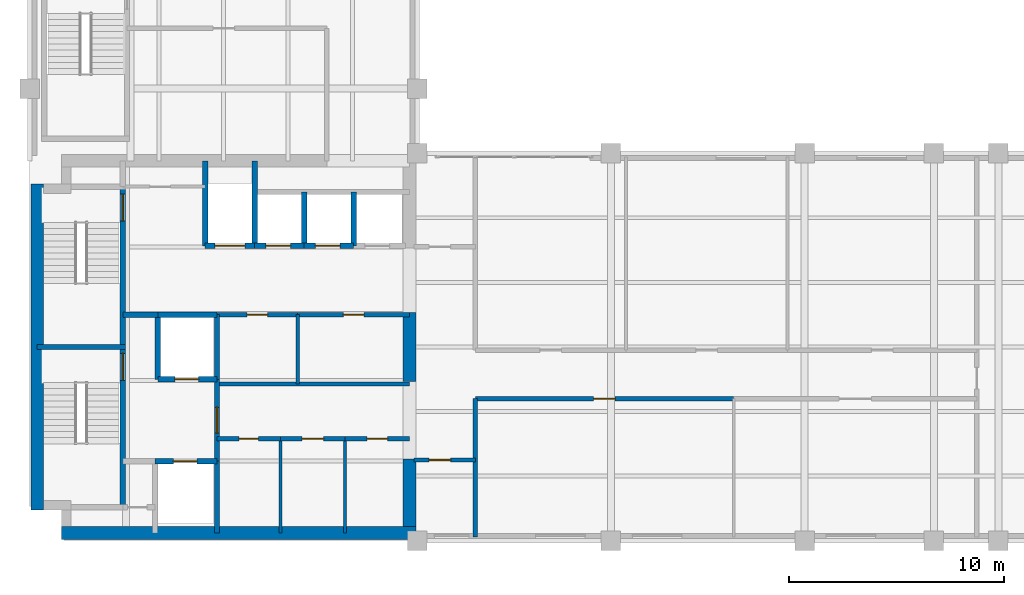
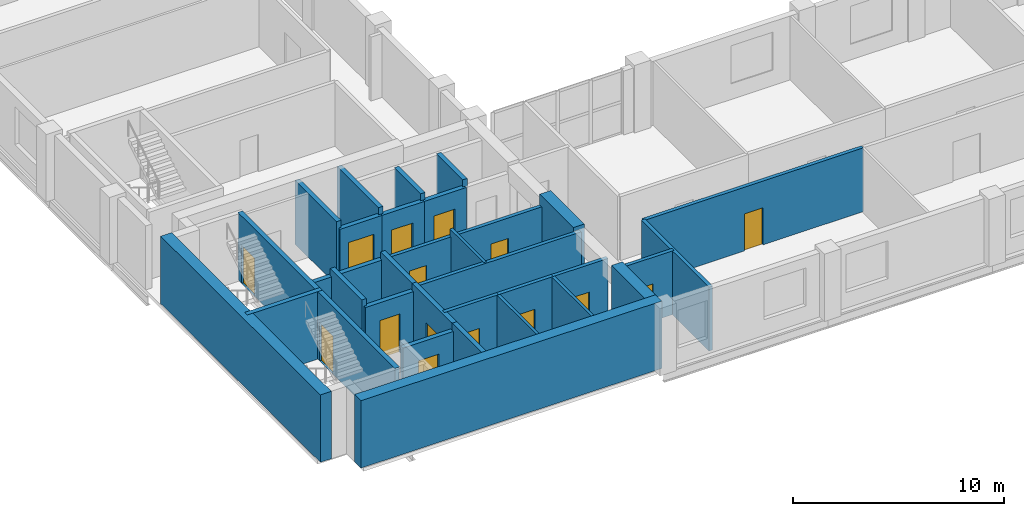
# One storey, part 4 of 7: 34 walls, 15 doors, 15 openings.
"""IFC4 building model written with IfcOpenShell, lengths in metres."""

from ifc_helpers import new_model, si_unit, direction, frame, frame_2d, origin, place, context, subcontext, project, spatial, rectangle, extrude, material, layer, layer_set, type_object, element, fill, save


model = new_model("IFC4")

# Units and contexts
model_context = context("Model", 3, precision=1e-05, world=origin(), true_north=direction((0.0, 1.0)))
body_context = subcontext(model_context, "Body", "Model", "MODEL_VIEW")
ifc_project = project(units=[si_unit("LENGTHUNIT", "METRE"), si_unit("AREAUNIT", "SQUARE_METRE"), si_unit("VOLUMEUNIT", "CUBIC_METRE"), si_unit("PLANEANGLEUNIT", "RADIAN"), si_unit("MASSUNIT", "GRAM", prefix="KILO")], contexts=[model_context])

# Site, building, storey
site_placement = place(None, origin())
site = spatial("IfcSite", under=ifc_project, at=site_placement, CompositionType="ELEMENT")
building_placement = place(site_placement, origin())
building = spatial("IfcBuilding", under=site, at=building_placement, Name="Mawjdan Bourse Tower", CompositionType="ELEMENT")
storey_placement = place(building_placement, frame((0.0, 0.0, 172.199951171875)))
storey = spatial("IfcBuildingStorey", under=building, at=storey_placement, Name="L41", CompositionType="ELEMENT", Elevation=172.199951171875)

# Wall, opening, door
ifc_material_1 = material(Name="Gypsum Fireboard Assembly")
ifc_layer_1 = layer(ifc_material_1, 0.199951171875)
ifc_layer_set_1 = layer_set([ifc_layer_1], Name="Gypsum Fireboard Assembly")
wall_type_1 = type_object("IfcWallType", Name="WL-CMP-200", PredefinedType="PARTITIONING", material=ifc_layer_set_1)
wall_1_placement = place(storey_placement, frame((14.699951171875, 7.739990234375, 0.0), z_axis=(0.0, 0.0, 1.0), x_axis=(1.0, 0.0, 0.0)))
wall_1 = element("IfcWall", 1, at=wall_1_placement, inside=storey, type_object=wall_type_1, Name="L41 IT & Telemetry Room North Wall", PredefinedType="PARTITIONING", context=body_context, shape_type="SweptSolid", body=[
    extrude(rectangle(XDim=2.949951171875, YDim=0.199951171875, at=frame_2d((1.47509765625, 0.0))), origin(), (0.0, 0.0, 1.0), 3.68994140625),
])
opening_1_placement = place(wall_1_placement, frame((1.02490234375, 0.0, 0.0)))
opening_1 = element("IfcOpeningElement", 2, at=opening_1_placement, cuts=wall_1, Name="Opening D-L41-13", PredefinedType="OPENING", context=body_context, shape_type="SweptSolid", body=[
    extrude(rectangle(XDim=0.89990234375, YDim=2.10009765625, at=frame_2d((0.449951171875, 1.050048828125))), frame((0.0, 0.10986328125, 0.0), z_axis=(0.0, -1.0, 0.0), x_axis=(1.0, 0.0, 0.0)), (0.0, 0.0, 1.0), 0.219970703125),
])
ifc_material_2 = material(Name="Fire-Rated Steel Access Leaf", Category="steel")
door_type_1 = type_object("IfcDoorType", Name="FD-RSR-0900", OperationType="NOTDEFINED", PredefinedType="TRAPDOOR", material=ifc_material_2)
door_1_placement = place(opening_1_placement, origin())
door_1 = element("IfcDoor", 3, at=door_1_placement, inside=storey, type_object=door_type_1, Name="L41 IT & Telemetry Room Door D-L41-13", OperationType="SINGLE_SWING_RIGHT", OverallHeight=2.10009765625, OverallWidth=0.89990234375, PredefinedType="TRAPDOOR", context=body_context, shape_type="SweptSolid", body=[
    extrude(rectangle(XDim=0.89990234375, YDim=2.10009765625, at=frame_2d((0.449951171875, 1.050048828125))), frame((0.0, 0.02490234375, 0.0), z_axis=(0.0, -1.0, 0.0), x_axis=(1.0, 0.0, 0.0)), (0.0, 0.0, 1.0), 0.050048828125),
])
fill(opening_1, door_1)

wall_2_placement = place(storey_placement, frame((17.64990234375, 7.739990234375, 0.0), z_axis=(0.0, 0.0, 1.0), x_axis=(1.0, 0.0, 0.0)))
wall_2 = element("IfcWall", 4, at=wall_2_placement, inside=storey, type_object=wall_type_1, Name="L41 Mail & Courier Office North Wall", PredefinedType="PARTITIONING", context=body_context, shape_type="SweptSolid", body=[
    extrude(rectangle(XDim=3.0, YDim=0.199951171875, at=frame_2d((1.5, 0.0))), origin(), (0.0, 0.0, 1.0), 3.68994140625),
])
opening_2_placement = place(wall_2_placement, frame((1.0, 0.0, 0.0)))
opening_2 = element("IfcOpeningElement", 5, at=opening_2_placement, cuts=wall_2, Name="Opening D-L41-14", PredefinedType="OPENING", context=body_context, shape_type="SweptSolid", body=[
    extrude(rectangle(XDim=1.0, YDim=2.14990234375, at=frame_2d((0.5, 1.074951171875))), frame((0.0, 0.10986328125, 0.0), z_axis=(0.0, -1.0, 0.0), x_axis=(1.0, 0.0, 0.0)), (0.0, 0.0, 1.0), 0.219970703125),
])
ifc_material_3 = material(Name="Hardwood Acoustic Leaf", Category="wood")
door_type_2 = type_object("IfcDoorType", Name="DR-OFC-1000", OperationType="NOTDEFINED", PredefinedType="DOOR", material=ifc_material_3)
door_2_placement = place(opening_2_placement, origin())
door_2 = element("IfcDoor", 6, at=door_2_placement, inside=storey, type_object=door_type_2, Name="L41 Mail & Courier Office Door D-L41-14", OperationType="SINGLE_SWING_LEFT", OverallHeight=2.14990234375, OverallWidth=1.0, PredefinedType="DOOR", context=body_context, shape_type="SweptSolid", body=[
    extrude(rectangle(XDim=1.0, YDim=2.14990234375, at=frame_2d((0.5, 1.074951171875))), frame((0.0, 0.02490234375, 0.0), z_axis=(0.0, -1.0, 0.0), x_axis=(1.0, 0.0, 0.0)), (0.0, 0.0, 1.0), 0.050048828125),
])
fill(opening_2, door_2)

wall_3_placement = place(storey_placement, frame((20.64990234375, 7.739990234375, 0.0), z_axis=(0.0, 0.0, 1.0), x_axis=(1.0, 0.0, 0.0)))
wall_3 = element("IfcWall", 7, at=wall_3_placement, inside=storey, type_object=wall_type_1, Name="L41 Staff Refreshment Pantry North Wall", PredefinedType="PARTITIONING", context=body_context, shape_type="SweptSolid", body=[
    extrude(rectangle(XDim=3.0, YDim=0.199951171875, at=frame_2d((1.5, 0.0))), origin(), (0.0, 0.0, 1.0), 3.68994140625),
])
opening_3_placement = place(wall_3_placement, frame((1.02490234375, 0.0, 0.0)))
opening_3 = element("IfcOpeningElement", 8, at=opening_3_placement, cuts=wall_3, Name="Opening D-L41-15", PredefinedType="OPENING", context=body_context, shape_type="SweptSolid", body=[
    extrude(rectangle(XDim=0.949951171875, YDim=2.10009765625, at=frame_2d((0.47509765625, 1.050048828125))), frame((0.0, 0.10986328125, 0.0), z_axis=(0.0, -1.0, 0.0), x_axis=(1.0, 0.0, 0.0)), (0.0, 0.0, 1.0), 0.219970703125),
])
ifc_material_4 = material(Name="Moisture-Resistant Laminate Timber", Category="wood")
door_type_3 = type_object("IfcDoorType", Name="DR-WET-0950", OperationType="NOTDEFINED", PredefinedType="DOOR", material=ifc_material_4)
door_3_placement = place(opening_3_placement, origin())
door_3 = element("IfcDoor", 9, at=door_3_placement, inside=storey, type_object=door_type_3, Name="L41 Staff Refreshment Pantry Door D-L41-15", OperationType="SINGLE_SWING_RIGHT", OverallHeight=2.10009765625, OverallWidth=0.949951171875, PredefinedType="DOOR", context=body_context, shape_type="SweptSolid", body=[
    extrude(rectangle(XDim=0.949951171875, YDim=2.10009765625, at=frame_2d((0.47509765625, 1.050048828125))), frame((0.0, 0.02490234375, 0.0), z_axis=(0.0, -1.0, 0.0), x_axis=(1.0, 0.0, 0.0)), (0.0, 0.0, 1.0), 0.050048828125),
])
fill(opening_3, door_3)

# Wall
wall_4_placement = place(storey_placement, frame((14.824951171875, 10.280029296875, 0.0), z_axis=(0.0, 0.0, 1.0), x_axis=(1.0, 0.0, 0.0)))
element("IfcWall", 10, at=wall_4_placement, inside=storey, type_object=wall_type_1, Name="L41 Core Restroom Suite South Wall", PredefinedType="PARTITIONING", context=body_context, shape_type="SweptSolid", body=[
    extrude(rectangle(XDim=8.824951171875, YDim=0.199951171875, at=frame_2d((4.41259765625, 0.0))), origin(), (0.0, 0.0, 1.0), 3.68994140625),
])

# Wall, opening, door
wall_5_placement = place(storey_placement, frame((14.699951171875, 13.5, 0.0), z_axis=(0.0, 0.0, 1.0), x_axis=(1.0, 0.0, 0.0)))
wall_5 = element("IfcWall", 11, at=wall_5_placement, inside=storey, type_object=wall_type_1, Name="L41 Female Restroom North Wall", PredefinedType="PARTITIONING", context=body_context, shape_type="SweptSolid", body=[
    extrude(rectangle(XDim=3.75, YDim=0.199951171875, at=frame_2d((1.875, 0.0))), origin(), (0.0, 0.0, 1.0), 3.282958984375),
])
opening_4_placement = place(wall_5_placement, frame((1.39990234375, 0.0, 0.0)))
opening_4 = element("IfcOpeningElement", 12, at=opening_4_placement, cuts=wall_5, Name="Opening D-L41-16", PredefinedType="OPENING", context=body_context, shape_type="SweptSolid", body=[
    extrude(rectangle(XDim=0.949951171875, YDim=2.10009765625, at=frame_2d((0.47509765625, 1.050048828125))), frame((0.0, 0.10986328125, 0.0), z_axis=(0.0, -1.0, 0.0), x_axis=(1.0, 0.0, 0.0)), (0.0, 0.0, 1.0), 0.219970703125),
])
door_4_placement = place(opening_4_placement, origin())
door_4 = element("IfcDoor", 13, at=door_4_placement, inside=storey, type_object=door_type_3, Name="L41 Female Restroom Door D-L41-16", OperationType="SINGLE_SWING_LEFT", OverallHeight=2.10009765625, OverallWidth=0.949951171875, PredefinedType="DOOR", context=body_context, shape_type="SweptSolid", body=[
    extrude(rectangle(XDim=0.949951171875, YDim=2.10009765625, at=frame_2d((0.47509765625, 1.050048828125))), frame((0.0, 0.02490234375, 0.0), z_axis=(0.0, -1.0, 0.0), x_axis=(1.0, 0.0, 0.0)), (0.0, 0.0, 1.0), 0.050048828125),
])
fill(opening_4, door_4)

wall_6_placement = place(storey_placement, frame((18.449951171875, 13.5, 0.0), z_axis=(0.0, 0.0, 1.0), x_axis=(1.0, 0.0, 0.0)))
wall_6 = element("IfcWall", 14, at=wall_6_placement, inside=storey, type_object=wall_type_1, Name="L41 Accessible WC North Wall", PredefinedType="PARTITIONING", context=body_context, shape_type="SweptSolid", body=[
    extrude(rectangle(XDim=5.199951171875, YDim=0.199951171875, at=frame_2d((2.60009765625, 0.0))), origin(), (0.0, 0.0, 1.0), 3.282958984375),
])
opening_5_placement = place(wall_6_placement, frame((2.125, 0.0, 0.0)))
opening_5 = element("IfcOpeningElement", 15, at=opening_5_placement, cuts=wall_6, Name="Opening D-L41-17", PredefinedType="OPENING", context=body_context, shape_type="SweptSolid", body=[
    extrude(rectangle(XDim=0.949951171875, YDim=2.10009765625, at=frame_2d((0.47509765625, 1.050048828125))), frame((0.0, 0.10986328125, 0.0), z_axis=(0.0, -1.0, 0.0), x_axis=(1.0, 0.0, 0.0)), (0.0, 0.0, 1.0), 0.219970703125),
])
door_5_placement = place(opening_5_placement, origin())
door_5 = element("IfcDoor", 16, at=door_5_placement, inside=storey, type_object=door_type_3, Name="L41 Accessible WC Door D-L41-17", OperationType="SINGLE_SWING_RIGHT", OverallHeight=2.10009765625, OverallWidth=0.949951171875, PredefinedType="DOOR", context=body_context, shape_type="SweptSolid", body=[
    extrude(rectangle(XDim=0.949951171875, YDim=2.10009765625, at=frame_2d((0.47509765625, 1.050048828125))), frame((0.0, 0.02490234375, 0.0), z_axis=(0.0, -1.0, 0.0), x_axis=(1.0, 0.0, 0.0)), (0.0, 0.0, 1.0), 0.050048828125),
])
fill(opening_5, door_5)

wall_7_placement = place(storey_placement, frame((23.85009765625, 6.75, 0.0), z_axis=(0.0, 0.0, 1.0), x_axis=(1.0, 0.0, 0.0)))
wall_7 = element("IfcWall", 17, at=wall_7_placement, inside=storey, type_object=wall_type_1, Name="L41 West Pocket North Wall", PredefinedType="PARTITIONING", context=body_context, shape_type="SweptSolid", body=[
    extrude(rectangle(XDim=2.849853515625, YDim=0.199951171875, at=frame_2d((1.4248046875, 0.0))), origin(), (0.0, 0.0, 1.0), 3.68994140625),
])
opening_6_placement = place(wall_7_placement, frame((0.699951171875, 0.0, 0.0)))
opening_6 = element("IfcOpeningElement", 18, at=opening_6_placement, cuts=wall_7, Name="Opening D-L41-20", PredefinedType="OPENING", context=body_context, shape_type="SweptSolid", body=[
    extrude(rectangle(XDim=1.0, YDim=2.14990234375, at=frame_2d((0.5, 1.074951171875))), frame((0.0, 0.10986328125, 0.0), z_axis=(0.0, -1.0, 0.0), x_axis=(1.0, 0.0, 0.0)), (0.0, 0.0, 1.0), 0.219970703125),
])
door_6_placement = place(opening_6_placement, origin())
door_6 = element("IfcDoor", 19, at=door_6_placement, inside=storey, type_object=door_type_2, Name="L41 West Pocket Office Door D-L41-20", OperationType="SINGLE_SWING_LEFT", OverallHeight=2.14990234375, OverallWidth=1.0, PredefinedType="DOOR", context=body_context, shape_type="SweptSolid", body=[
    extrude(rectangle(XDim=1.0, YDim=2.14990234375, at=frame_2d((0.5, 1.074951171875))), frame((0.0, 0.02490234375, 0.0), z_axis=(0.0, -1.0, 0.0), x_axis=(1.0, 0.0, 0.0)), (0.0, 0.0, 1.0), 0.050048828125),
])
fill(opening_6, door_6)

# Wall
wall_8_placement = place(storey_placement, frame((26.699951171875, 3.179931640625, 0.0), z_axis=(0.0, 0.0, 1.0), x_axis=(0.0, 1.0, 0.0)))
element("IfcWall", 20, at=wall_8_placement, inside=storey, type_object=wall_type_1, Name="L41 Vestibule South East Wall", PredefinedType="PARTITIONING", context=body_context, shape_type="SweptSolid", body=[
    extrude(rectangle(XDim=6.420166015625, YDim=0.199951171875, at=frame_2d((3.2099609375, 0.0))), origin(), (0.0, 0.0, 1.0), 3.68994140625),
])

# Wall, opening, door
wall_9_placement = place(storey_placement, frame((26.699951171875, 9.60009765625, 0.0), z_axis=(0.0, 0.0, 1.0), x_axis=(1.0, 0.0, 0.0)))
wall_9 = element("IfcWall", 21, at=wall_9_placement, inside=storey, type_object=wall_type_1, Name="L41 Central Clearing Suite Corridor Wall", PredefinedType="PARTITIONING", context=body_context, shape_type="SweptSolid", body=[
    extrude(rectangle(XDim=12.0, YDim=0.199951171875, at=frame_2d((6.0, 0.0))), origin(), (0.0, 0.0, 1.0), 3.68994140625),
])
opening_7_placement = place(wall_9_placement, frame((5.5, 0.0, 0.0)))
opening_7 = element("IfcOpeningElement", 22, at=opening_7_placement, cuts=wall_9, Name="Opening D-L41-22", PredefinedType="OPENING", context=body_context, shape_type="SweptSolid", body=[
    extrude(rectangle(XDim=1.0, YDim=2.14990234375, at=frame_2d((0.5, 1.074951171875))), frame((0.0, 0.10986328125, 0.0), z_axis=(0.0, -1.0, 0.0), x_axis=(1.0, 0.0, 0.0)), (0.0, 0.0, 1.0), 0.219970703125),
])
door_7_placement = place(opening_7_placement, origin())
door_7 = element("IfcDoor", 23, at=door_7_placement, inside=storey, type_object=door_type_2, Name="L41 Central Clearing Suite Door D-L41-22", OperationType="SINGLE_SWING_LEFT", OverallHeight=2.14990234375, OverallWidth=1.0, PredefinedType="DOOR", context=body_context, shape_type="SweptSolid", body=[
    extrude(rectangle(XDim=1.0, YDim=2.14990234375, at=frame_2d((0.5, 1.074951171875))), frame((0.0, 0.02490234375, 0.0), z_axis=(0.0, -1.0, 0.0), x_axis=(1.0, 0.0, 0.0)), (0.0, 0.0, 1.0), 0.050048828125),
])
fill(opening_7, door_7)

# Walls
ifc_material_5 = material(Name="Concrete C70/85", Category="concrete")
ifc_layer_2 = layer(ifc_material_5, 0.60009765625)
ifc_layer_set_2 = layer_set([ifc_layer_2], Name="Concrete C70/85")
wall_type_2 = type_object("IfcWallType", Name="WL-CORE-600", PredefinedType="SHEAR", material=ifc_layer_set_2)
wall_10_placement = place(storey_placement, frame((7.47509765625, 3.35009765625, 0.0), z_axis=(0.0, 0.0, 1.0), x_axis=(1.0, 0.0, 0.0)))
element("IfcWall", 24, at=wall_10_placement, inside=storey, type_object=wall_type_2, Name="L41 Rear Core Shear Wall S", PredefinedType="SHEAR", context=body_context, shape_type="SweptSolid", body=[
    extrude(rectangle(XDim=16.474853515625, YDim=0.60009765625, at=frame_2d((8.2373046875, 0.0))), origin(), (0.0, 0.0, 1.0), 3.900146484375),
])
wall_11_placement = place(storey_placement, frame((6.35009765625, 4.425048828125, 0.0), z_axis=(0.0, 0.0, 1.0), x_axis=(0.0, 1.0, 0.0)))
element("IfcWall", 25, at=wall_11_placement, inside=storey, type_object=wall_type_2, Name="L41 Rear Core Shear Wall W", PredefinedType="SHEAR", context=body_context, shape_type="SweptSolid", body=[
    extrude(rectangle(XDim=15.14990234375, YDim=0.60009765625, at=frame_2d((7.574951171875, 0.0))), origin(), (0.0, 0.0, 1.0), 3.900146484375),
])
wall_12_placement = place(storey_placement, frame((23.64990234375, 3.64990234375, 0.0), z_axis=(0.0, 0.0, 1.0), x_axis=(0.0, 1.0, 0.0)))
element("IfcWall", 26, at=wall_12_placement, inside=storey, type_object=wall_type_2, Name="L41 Rear Core Shear Wall E1", PredefinedType="SHEAR", context=body_context, shape_type="SweptSolid", body=[
    extrude(rectangle(XDim=3.150146484375, YDim=0.60009765625, at=frame_2d((1.5751953125, 0.0))), origin(), (0.0, 0.0, 1.0), 3.900146484375),
])
wall_13_placement = place(storey_placement, frame((23.64990234375, 10.39990234375, 0.0), z_axis=(0.0, 0.0, 1.0), x_axis=(0.0, 1.0, 0.0)))
element("IfcWall", 27, at=wall_13_placement, inside=storey, type_object=wall_type_2, Name="L41 Rear Core Shear Wall E2", PredefinedType="SHEAR", context=body_context, shape_type="SweptSolid", body=[
    extrude(rectangle(XDim=3.2001953125, YDim=0.60009765625, at=frame_2d((1.60009765625, 0.0))), origin(), (0.0, 0.0, 1.0), 3.900146484375),
])
ifc_material_6 = material(Name="Gypsum Acoustic Partition")
ifc_layer_3 = layer(ifc_material_6, 0.14990234375)
ifc_layer_set_3 = layer_set([ifc_layer_3], Name="Gypsum Acoustic Partition")
wall_type_3 = type_object("IfcWallType", Name="WL-PRT-150", PredefinedType="PARTITIONING", material=ifc_layer_set_3)
for number, where, z_axis, x_axis, name in (
    (28, (17.64990234375, 3.35009765625, 0.0), (0.0, 0.0, 1.0), (0.0, 1.0, 0.0), "L41 Mail & Courier Office Core Split Wall"),
    (29, (20.64990234375, 3.35009765625, 0.0), (0.0, 0.0, 1.0), (0.0, 1.0, 0.0), "L41 Staff Refreshment Pantry Core Split Wall"),
):
    element("IfcWall", number, at=place(storey_placement, frame(where, z_axis=z_axis, x_axis=x_axis)), inside=storey, type_object=wall_type_3, Name=name, PredefinedType="PARTITIONING", context=body_context, shape_type="SweptSolid", body=[
        extrude(rectangle(XDim=4.389892578125, YDim=0.14990234375, at=frame_2d((2.19482421875, 0.0))), origin(), (0.0, 0.0, 1.0), 3.68994140625),
    ])
wall_14_placement = place(storey_placement, frame((18.449951171875, 10.280029296875, 0.0), z_axis=(0.0, 0.0, 1.0), x_axis=(0.0, 1.0, 0.0)))
element("IfcWall", 30, at=wall_14_placement, inside=storey, type_object=wall_type_3, Name="L41 Accessible WC Split Wall", PredefinedType="PARTITIONING", context=body_context, shape_type="SweptSolid", body=[
    extrude(rectangle(XDim=3.219970703125, YDim=0.14990234375, at=frame_2d((1.60986328125, 0.0))), origin(), (0.0, 0.0, 1.0), 3.68994140625),
])

# Wall, opening, door
ifc_material_7 = material(Name="Concrete C50/60", Category="concrete")
ifc_layer_4 = layer(ifc_material_7, 0.25)
ifc_layer_set_4 = layer_set([ifc_layer_4], Name="Concrete C50/60")
wall_type_4 = type_object("IfcWallType", Name="WL-SHFT-250", PredefinedType="PARTITIONING", material=ifc_layer_set_4)
wall_15_placement = place(storey_placement, frame((11.820068359375, 6.699951171875, 0.0), z_axis=(0.0, 0.0, 1.0), x_axis=(1.0, 0.0, 0.0)))
wall_15 = element("IfcWall", 31, at=wall_15_placement, inside=storey, type_object=wall_type_4, Name="L41 FFL-01 Front Shaft Wall", PredefinedType="PARTITIONING", context=body_context, shape_type="SweptSolid", body=[
    extrude(rectangle(XDim=2.8798828125, YDim=0.25, at=frame_2d((1.43994140625, 0.0))), origin(), (0.0, 0.0, 1.0), 3.282958984375),
])
opening_8_placement = place(wall_15_placement, frame((0.85009765625, 0.0, 0.0)))
opening_8 = element("IfcOpeningElement", 32, at=opening_8_placement, cuts=wall_15, Name="Opening LD-L41-05", PredefinedType="OPENING", context=body_context, shape_type="SweptSolid", body=[
    extrude(rectangle(XDim=1.10009765625, YDim=2.25, at=frame_2d((0.550048828125, 1.125))), frame((0.0, 0.135009765625, 0.0), z_axis=(0.0, -1.0, 0.0), x_axis=(1.0, 0.0, 0.0)), (0.0, 0.0, 1.0), 0.27001953125),
])
ifc_material_8 = material(Name="Brushed Stainless Steel", Category="steel")
door_type_4 = type_object("IfcDoorType", Name="LD-FFL-1100", OperationType="DOUBLE_DOOR_SLIDING", PredefinedType="DOOR", material=ifc_material_8)
door_8_placement = place(opening_8_placement, origin())
door_8 = element("IfcDoor", 33, at=door_8_placement, inside=storey, type_object=door_type_4, Name="L41 Firefighting Lift FFL-01 Landing Door LD-L41-05", OperationType="DOUBLE_DOOR_SLIDING", OverallHeight=2.25, OverallWidth=1.10009765625, PredefinedType="DOOR", context=body_context, shape_type="SweptSolid", body=[
    extrude(rectangle(XDim=1.10009765625, YDim=2.25, at=frame_2d((0.550048828125, 1.125))), frame((0.0, 0.02490234375, 0.0), z_axis=(0.0, -1.0, 0.0), x_axis=(1.0, 0.0, 0.0)), (0.0, 0.0, 1.0), 0.050048828125),
])
fill(opening_8, door_8)

# Wall
wall_16_placement = place(storey_placement, frame((14.699951171875, 3.35009765625, 0.0), z_axis=(0.0, 0.0, 1.0), x_axis=(0.0, 1.0, 0.0)))
element("IfcWall", 34, at=wall_16_placement, inside=storey, type_object=wall_type_4, Name="L41 FFL-01 East Shaft Wall", PredefinedType="PARTITIONING", context=body_context, shape_type="SweptSolid", body=[
    extrude(rectangle(XDim=3.349853515625, YDim=0.25, at=frame_2d((1.6748046875, 0.0))), origin(), (0.0, 0.0, 1.0), 3.68994140625),
])

# Wall, opening, door
wall_17_placement = place(storey_placement, frame((11.949951171875, 10.5, 0.0), z_axis=(0.0, 0.0, 1.0), x_axis=(1.0, 0.0, 0.0)))
wall_17 = element("IfcWall", 35, at=wall_17_placement, inside=storey, type_object=wall_type_4, Name="L41 FFL-02 Front Shaft Wall", PredefinedType="PARTITIONING", context=body_context, shape_type="SweptSolid", body=[
    extrude(rectangle(XDim=2.75, YDim=0.25, at=frame_2d((1.375, 0.0))), origin(), (0.0, 0.0, 1.0), 3.282958984375),
])
opening_9_placement = place(wall_17_placement, frame((0.800048828125, 0.0, 0.0)))
opening_9 = element("IfcOpeningElement", 36, at=opening_9_placement, cuts=wall_17, Name="Opening LD-L41-06", PredefinedType="OPENING", context=body_context, shape_type="SweptSolid", body=[
    extrude(rectangle(XDim=1.10009765625, YDim=2.25, at=frame_2d((0.550048828125, 1.125))), frame((0.0, 0.135009765625, 0.0), z_axis=(0.0, -1.0, 0.0), x_axis=(1.0, 0.0, 0.0)), (0.0, 0.0, 1.0), 0.27001953125),
])
door_9_placement = place(opening_9_placement, origin())
door_9 = element("IfcDoor", 37, at=door_9_placement, inside=storey, type_object=door_type_4, Name="L41 Firefighting Lift FFL-02 Landing Door LD-L41-06", OperationType="DOUBLE_DOOR_SLIDING", OverallHeight=2.25, OverallWidth=1.10009765625, PredefinedType="DOOR", context=body_context, shape_type="SweptSolid", body=[
    extrude(rectangle(XDim=1.10009765625, YDim=2.25, at=frame_2d((0.550048828125, 1.125))), frame((0.0, 0.02490234375, 0.0), z_axis=(0.0, -1.0, 0.0), x_axis=(1.0, 0.0, 0.0)), (0.0, 0.0, 1.0), 0.050048828125),
])
fill(opening_9, door_9)

# Walls
wall_18_placement = place(storey_placement, frame((11.949951171875, 10.5, 0.0), z_axis=(0.0, 0.0, 1.0), x_axis=(0.0, 1.0, 0.0)))
element("IfcWall", 38, at=wall_18_placement, inside=storey, type_object=wall_type_4, Name="L41 FFL-02 West Shaft Wall", PredefinedType="PARTITIONING", context=body_context, shape_type="SweptSolid", body=[
    extrude(rectangle(XDim=3.0, YDim=0.25, at=frame_2d((1.5, 0.0))), origin(), (0.0, 0.0, 1.0), 3.68994140625),
])
wall_19_placement = place(storey_placement, frame((11.949951171875, 13.5, 0.0), z_axis=(0.0, 0.0, 1.0), x_axis=(1.0, 0.0, 0.0)))
element("IfcWall", 39, at=wall_19_placement, inside=storey, type_object=wall_type_4, Name="L41 FFL-02 North Shaft Wall", PredefinedType="PARTITIONING", context=body_context, shape_type="SweptSolid", body=[
    extrude(rectangle(XDim=2.75, YDim=0.25, at=frame_2d((1.375, 0.0))), origin(), (0.0, 0.0, 1.0), 3.282958984375),
])
wall_20_placement = place(storey_placement, frame((14.699951171875, 10.5, 0.0), z_axis=(0.0, 0.0, 1.0), x_axis=(0.0, 1.0, 0.0)))
element("IfcWall", 40, at=wall_20_placement, inside=storey, type_object=wall_type_4, Name="L41 FFL-02 East Shaft Wall", PredefinedType="PARTITIONING", context=body_context, shape_type="SweptSolid", body=[
    extrude(rectangle(XDim=3.0, YDim=0.25, at=frame_2d((1.5, 0.0))), origin(), (0.0, 0.0, 1.0), 3.68994140625),
])

# Wall, opening, door
wall_21_placement = place(storey_placement, frame((14.699951171875, 6.699951171875, 0.0), z_axis=(0.0, 0.0, 1.0), x_axis=(0.0, 1.0, 0.0)))
wall_21 = element("IfcWall", 41, at=wall_21_placement, inside=storey, type_object=wall_type_4, Name="L41 Firefighting Lobby East Compartment Wall", PredefinedType="PARTITIONING", context=body_context, shape_type="SweptSolid", body=[
    extrude(rectangle(XDim=3.800048828125, YDim=0.25, at=frame_2d((1.89990234375, 0.0))), origin(), (0.0, 0.0, 1.0), 3.68994140625),
])
opening_10_placement = place(wall_21_placement, frame((1.300048828125, 0.0, 0.0)))
opening_10 = element("IfcOpeningElement", 42, at=opening_10_placement, cuts=wall_21, Name="Opening FD-L41-07", PredefinedType="OPENING", context=body_context, shape_type="SweptSolid", body=[
    extrude(rectangle(XDim=1.199951171875, YDim=2.199951171875, at=frame_2d((0.60009765625, 1.10009765625))), frame((0.0, 0.135009765625, 0.0), z_axis=(0.0, -1.0, 0.0), x_axis=(1.0, 0.0, 0.0)), (0.0, 0.0, 1.0), 0.27001953125),
])
ifc_material_9 = material(Name="Fire-Rated Steel Leaf", Category="steel")
door_type_5 = type_object("IfcDoorType", Name="FD-FFL-1200", OperationType="NOTDEFINED", PredefinedType="DOOR", material=ifc_material_9)
door_10_placement = place(opening_10_placement, origin())
door_10 = element("IfcDoor", 43, at=door_10_placement, inside=storey, type_object=door_type_5, Name="L41 Firefighting Lobby East Smoke Door FD-L41-07", OperationType="SINGLE_SWING_RIGHT", OverallHeight=2.199951171875, OverallWidth=1.199951171875, PredefinedType="DOOR", context=body_context, shape_type="SweptSolid", body=[
    extrude(rectangle(XDim=1.199951171875, YDim=2.199951171875, at=frame_2d((0.60009765625, 1.10009765625))), frame((0.0, 0.02490234375, 0.0), z_axis=(0.0, -1.0, 0.0), x_axis=(1.0, 0.0, 0.0)), (0.0, 0.0, 1.0), 0.050048828125),
])
fill(opening_10, door_10)

# Wall
wall_22_placement = place(storey_placement, frame((10.330078125, 13.5, 0.0), z_axis=(0.0, 0.0, 1.0), x_axis=(1.0, 0.0, 0.0)))
element("IfcWall", 44, at=wall_22_placement, inside=storey, type_object=wall_type_4, Name="L41 Firefighting Lobby North Compartment Wall", PredefinedType="PARTITIONING", context=body_context, shape_type="SweptSolid", body=[
    extrude(rectangle(XDim=1.619873046875, YDim=0.25, at=frame_2d((0.81005859375, 0.0))), origin(), (0.0, 0.0, 1.0), 3.282958984375),
])

# Wall, opening, door
wall_23_placement = place(storey_placement, frame((14.14990234375, 16.699951171875, 0.0), z_axis=(0.0, 0.0, 1.0), x_axis=(1.0, 0.0, 0.0)))
wall_23 = element("IfcWall", 45, at=wall_23_placement, inside=storey, type_object=wall_type_4, Name="L41 SVL-01 Front Shaft Wall", PredefinedType="PARTITIONING", context=body_context, shape_type="SweptSolid", body=[
    extrude(rectangle(XDim=2.300048828125, YDim=0.25, at=frame_2d((1.14990234375, 0.0))), origin(), (0.0, 0.0, 1.0), 3.282958984375),
])
opening_11_placement = place(wall_23_placement, frame((0.449951171875, 0.0, 0.0)))
opening_11 = element("IfcOpeningElement", 46, at=opening_11_placement, cuts=wall_23, Name="Opening LD-L41-09", PredefinedType="OPENING", context=body_context, shape_type="SweptSolid", body=[
    extrude(rectangle(XDim=1.39990234375, YDim=2.35009765625, at=frame_2d((0.699951171875, 1.175048828125))), frame((0.0, 0.135009765625, 0.0), z_axis=(0.0, -1.0, 0.0), x_axis=(1.0, 0.0, 0.0)), (0.0, 0.0, 1.0), 0.27001953125),
])
ifc_material_10 = material(Name="Heavy-Duty Stainless Steel", Category="steel")
door_type_6 = type_object("IfcDoorType", Name="LD-SRV-1400", OperationType="DOUBLE_DOOR_SLIDING", PredefinedType="DOOR", material=ifc_material_10)
door_11_placement = place(opening_11_placement, origin())
door_11 = element("IfcDoor", 47, at=door_11_placement, inside=storey, type_object=door_type_6, Name="L41 Service Lift SVL-01 Landing Door LD-L41-09", OperationType="DOUBLE_DOOR_SLIDING", OverallHeight=2.35009765625, OverallWidth=1.39990234375, PredefinedType="DOOR", context=body_context, shape_type="SweptSolid", body=[
    extrude(rectangle(XDim=1.39990234375, YDim=2.35009765625, at=frame_2d((0.699951171875, 1.175048828125))), frame((0.0, 0.02490234375, 0.0), z_axis=(0.0, -1.0, 0.0), x_axis=(1.0, 0.0, 0.0)), (0.0, 0.0, 1.0), 0.050048828125),
])
fill(opening_11, door_11)

# Walls
for number, where, z_axis, x_axis, name in (
    (48, (14.14990234375, 16.699951171875, 0.0), (0.0, 0.0, 1.0), (0.0, 1.0, 0.0), "L41 SVL-01 West Shaft Wall"),
    (49, (16.449951171875, 16.699951171875, 0.0), (0.0, 0.0, 1.0), (0.0, 1.0, 0.0), "L41 SVL-01 East Shaft Wall"),
):
    element("IfcWall", number, at=place(storey_placement, frame(where, z_axis=z_axis, x_axis=x_axis)), inside=storey, type_object=wall_type_4, Name=name, PredefinedType="PARTITIONING", context=body_context, shape_type="SweptSolid", body=[
        extrude(rectangle(XDim=3.949951171875, YDim=0.25, at=frame_2d((1.97509765625, 0.0))), origin(), (0.0, 0.0, 1.0), 3.68994140625),
    ])

# Wall, opening, door
wall_24_placement = place(storey_placement, frame((16.449951171875, 16.699951171875, 0.0), z_axis=(0.0, 0.0, 1.0), x_axis=(1.0, 0.0, 0.0)))
wall_24 = element("IfcWall", 50, at=wall_24_placement, inside=storey, type_object=wall_type_4, Name="L41 PH-01 Front Wall", PredefinedType="PARTITIONING", context=body_context, shape_type="SweptSolid", body=[
    extrude(rectangle(XDim=2.300048828125, YDim=0.25, at=frame_2d((1.14990234375, 0.0))), origin(), (0.0, 0.0, 1.0), 3.282958984375),
])
opening_12_placement = place(wall_24_placement, frame((0.52001953125, 0.0, 0.0)))
opening_12 = element("IfcOpeningElement", 51, at=opening_12_placement, cuts=wall_24, Name="Opening LD-L41-10", PredefinedType="OPENING", context=body_context, shape_type="SweptSolid", body=[
    extrude(rectangle(XDim=1.14990234375, YDim=2.25, at=frame_2d((0.574951171875, 1.125))), frame((0.0, 0.135009765625, 0.0), z_axis=(0.0, -1.0, 0.0), x_axis=(1.0, 0.0, 0.0)), (0.0, 0.0, 1.0), 0.27001953125),
])
door_type_7 = type_object("IfcDoorType", Name="LD-PAS-1150", OperationType="DOUBLE_DOOR_SLIDING", PredefinedType="DOOR", material=ifc_material_8)
door_12_placement = place(opening_12_placement, origin())
door_12 = element("IfcDoor", 52, at=door_12_placement, inside=storey, type_object=door_type_7, Name="L41 Lift PH-01 Landing Door LD-L41-10", OperationType="DOUBLE_DOOR_SLIDING", OverallHeight=2.25, OverallWidth=1.14990234375, PredefinedType="DOOR", context=body_context, shape_type="SweptSolid", body=[
    extrude(rectangle(XDim=1.14990234375, YDim=2.25, at=frame_2d((0.574951171875, 1.125))), frame((0.0, 0.02490234375, 0.0), z_axis=(0.0, -1.0, 0.0), x_axis=(1.0, 0.0, 0.0)), (0.0, 0.0, 1.0), 0.050048828125),
])
fill(opening_12, door_12)

# Wall
wall_25_placement = place(storey_placement, frame((18.75, 16.699951171875, 0.0), z_axis=(0.0, 0.0, 1.0), x_axis=(0.0, 1.0, 0.0)))
element("IfcWall", 53, at=wall_25_placement, inside=storey, type_object=wall_type_4, Name="L41 PH-01 Divider Wall", PredefinedType="PARTITIONING", context=body_context, shape_type="SweptSolid", body=[
    extrude(rectangle(XDim=2.5, YDim=0.25, at=frame_2d((1.25, 0.0))), origin(), (0.0, 0.0, 1.0), 3.68994140625),
])

# Wall, opening, door
wall_26_placement = place(storey_placement, frame((18.75, 16.699951171875, 0.0), z_axis=(0.0, 0.0, 1.0), x_axis=(1.0, 0.0, 0.0)))
wall_26 = element("IfcWall", 54, at=wall_26_placement, inside=storey, type_object=wall_type_4, Name="L41 PH-02 Front Wall", PredefinedType="PARTITIONING", context=body_context, shape_type="SweptSolid", body=[
    extrude(rectangle(XDim=2.300048828125, YDim=0.25, at=frame_2d((1.14990234375, 0.0))), origin(), (0.0, 0.0, 1.0), 3.282958984375),
])
opening_13_placement = place(wall_26_placement, frame((0.52001953125, 0.0, 0.0)))
opening_13 = element("IfcOpeningElement", 55, at=opening_13_placement, cuts=wall_26, Name="Opening LD-L41-11", PredefinedType="OPENING", context=body_context, shape_type="SweptSolid", body=[
    extrude(rectangle(XDim=1.14990234375, YDim=2.25, at=frame_2d((0.574951171875, 1.125))), frame((0.0, 0.135009765625, 0.0), z_axis=(0.0, -1.0, 0.0), x_axis=(1.0, 0.0, 0.0)), (0.0, 0.0, 1.0), 0.27001953125),
])
door_13_placement = place(opening_13_placement, origin())
door_13 = element("IfcDoor", 56, at=door_13_placement, inside=storey, type_object=door_type_7, Name="L41 Lift PH-02 Landing Door LD-L41-11", OperationType="DOUBLE_DOOR_SLIDING", OverallHeight=2.25, OverallWidth=1.14990234375, PredefinedType="DOOR", context=body_context, shape_type="SweptSolid", body=[
    extrude(rectangle(XDim=1.14990234375, YDim=2.25, at=frame_2d((0.574951171875, 1.125))), frame((0.0, 0.02490234375, 0.0), z_axis=(0.0, -1.0, 0.0), x_axis=(1.0, 0.0, 0.0)), (0.0, 0.0, 1.0), 0.050048828125),
])
fill(opening_13, door_13)

# Walls
wall_27_placement = place(storey_placement, frame((21.050048828125, 16.699951171875, 0.0), z_axis=(0.0, 0.0, 1.0), x_axis=(0.0, 1.0, 0.0)))
element("IfcWall", 57, at=wall_27_placement, inside=storey, type_object=wall_type_4, Name="L41 PH-02 Divider Wall", PredefinedType="PARTITIONING", context=body_context, shape_type="SweptSolid", body=[
    extrude(rectangle(XDim=2.5, YDim=0.25, at=frame_2d((1.25, 0.0))), origin(), (0.0, 0.0, 1.0), 3.68994140625),
])
ifc_layer_5 = layer(ifc_material_7, 0.25)
ifc_layer_set_5 = layer_set([ifc_layer_5], Name="Concrete C50/60")
wall_type_5 = type_object("IfcWallType", Name="WL-STRW-250", PredefinedType="SHEAR", material=ifc_layer_set_5)
wall_28_placement = place(storey_placement, frame((6.35009765625, 12.0, 0.0), z_axis=(0.0, 0.0, 1.0), x_axis=(1.0, 0.0, 0.0)))
element("IfcWall", 58, at=wall_28_placement, inside=storey, type_object=wall_type_5, Name="L41 Stairwell Dividing Shaft Wall", PredefinedType="SHEAR", context=body_context, shape_type="SweptSolid", body=[
    extrude(rectangle(XDim=4.10498046875, YDim=0.25, at=frame_2d((2.052490234375, 0.0))), origin(), (0.0, 0.0, 1.0), 3.900146484375),
])

# Wall, opening, door
wall_29_placement = place(storey_placement, frame((10.330078125, 4.550048828125, 0.0), z_axis=(0.0, 0.0, 1.0), x_axis=(0.0, 1.0, 0.0)))
wall_29 = element("IfcWall", 59, at=wall_29_placement, inside=storey, type_object=wall_type_5, Name="L41 Stairwell ST1 East Enclosure Wall", PredefinedType="SHEAR", context=body_context, shape_type="SweptSolid", body=[
    extrude(rectangle(XDim=7.449951171875, YDim=0.25, at=frame_2d((3.72509765625, 0.0))), origin(), (0.0, 0.0, 1.0), 3.900146484375),
])
opening_14_placement = place(wall_29_placement, frame((5.89990234375, 0.0, 0.0)))
opening_14 = element("IfcOpeningElement", 60, at=opening_14_placement, cuts=wall_29, Name="Opening SD-L41-01", PredefinedType="OPENING", context=body_context, shape_type="SweptSolid", body=[
    extrude(rectangle(XDim=1.25, YDim=2.199951171875, at=frame_2d((0.625, 1.10009765625))), frame((0.0, 0.135009765625, 0.0), z_axis=(0.0, -1.0, 0.0), x_axis=(1.0, 0.0, 0.0)), (0.0, 0.0, 1.0), 0.27001953125),
])
door_type_8 = type_object("IfcDoorType", Name="FD-ST-1250", OperationType="NOTDEFINED", PredefinedType="DOOR", material=ifc_material_9)
door_14_placement = place(opening_14_placement, origin())
door_14 = element("IfcDoor", 61, at=door_14_placement, inside=storey, type_object=door_type_8, Name="L41 Exit Stair ST1 Fire Door SD-L41-01", OperationType="SINGLE_SWING_RIGHT", OverallHeight=2.199951171875, OverallWidth=1.25, PredefinedType="DOOR", context=body_context, shape_type="SweptSolid", body=[
    extrude(rectangle(XDim=1.25, YDim=2.199951171875, at=frame_2d((0.625, 1.10009765625))), frame((0.0, 0.02490234375, 0.0), z_axis=(0.0, -1.0, 0.0), x_axis=(1.0, 0.0, 0.0)), (0.0, 0.0, 1.0), 0.050048828125),
])
fill(opening_14, door_14)

wall_30_placement = place(storey_placement, frame((10.330078125, 12.0, 0.0), z_axis=(0.0, 0.0, 1.0), x_axis=(0.0, 1.0, 0.0)))
wall_30 = element("IfcWall", 62, at=wall_30_placement, inside=storey, type_object=wall_type_5, Name="L41 Stairwell ST2 East Enclosure Wall", PredefinedType="SHEAR", context=body_context, shape_type="SweptSolid", body=[
    extrude(rectangle(XDim=7.449951171875, YDim=0.25, at=frame_2d((3.72509765625, 0.0))), origin(), (0.0, 0.0, 1.0), 3.900146484375),
])
opening_15_placement = place(wall_30_placement, frame((5.85009765625, 0.0, 0.0)))
opening_15 = element("IfcOpeningElement", 63, at=opening_15_placement, cuts=wall_30, Name="Opening SD-L41-02", PredefinedType="OPENING", context=body_context, shape_type="SweptSolid", body=[
    extrude(rectangle(XDim=1.25, YDim=2.199951171875, at=frame_2d((0.625, 1.10009765625))), frame((0.0, 0.135009765625, 0.0), z_axis=(0.0, -1.0, 0.0), x_axis=(1.0, 0.0, 0.0)), (0.0, 0.0, 1.0), 0.27001953125),
])
door_15_placement = place(opening_15_placement, origin())
door_15 = element("IfcDoor", 64, at=door_15_placement, inside=storey, type_object=door_type_8, Name="L41 Exit Stair ST2 Fire Door SD-L41-02", OperationType="SINGLE_SWING_LEFT", OverallHeight=2.199951171875, OverallWidth=1.25, PredefinedType="DOOR", context=body_context, shape_type="SweptSolid", body=[
    extrude(rectangle(XDim=1.25, YDim=2.199951171875, at=frame_2d((0.625, 1.10009765625))), frame((0.0, 0.02490234375, 0.0), z_axis=(0.0, -1.0, 0.0), x_axis=(1.0, 0.0, 0.0)), (0.0, 0.0, 1.0), 0.050048828125),
])
fill(opening_15, door_15)

save(model, "model.ifc")
